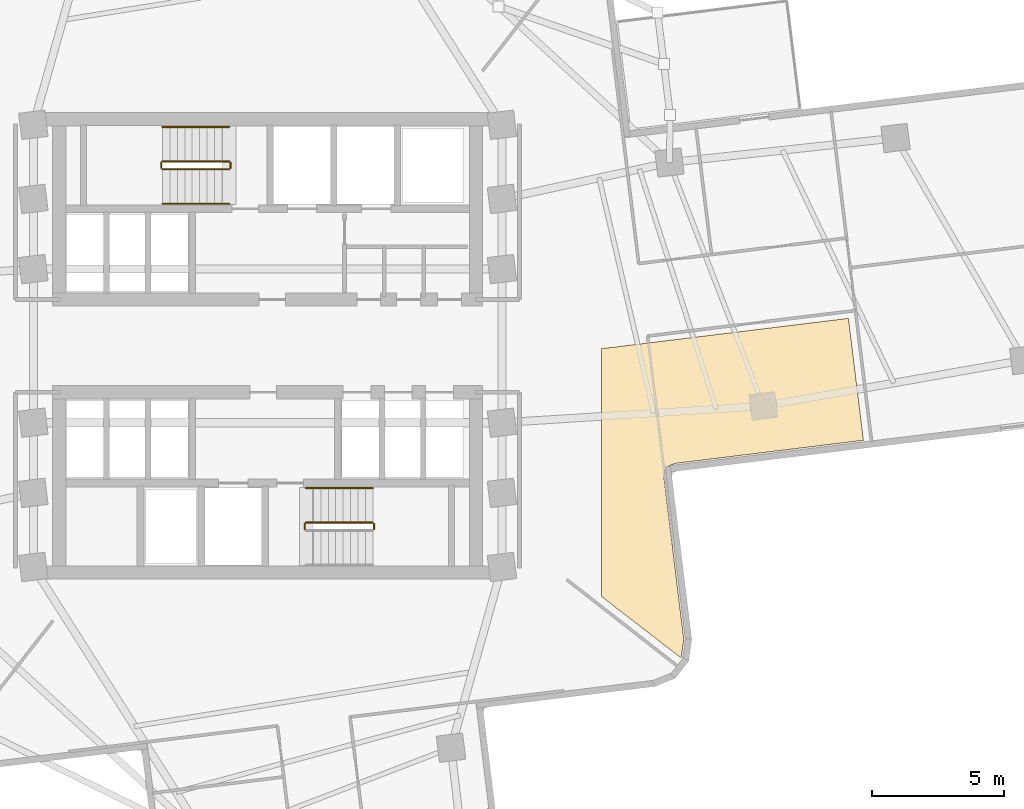
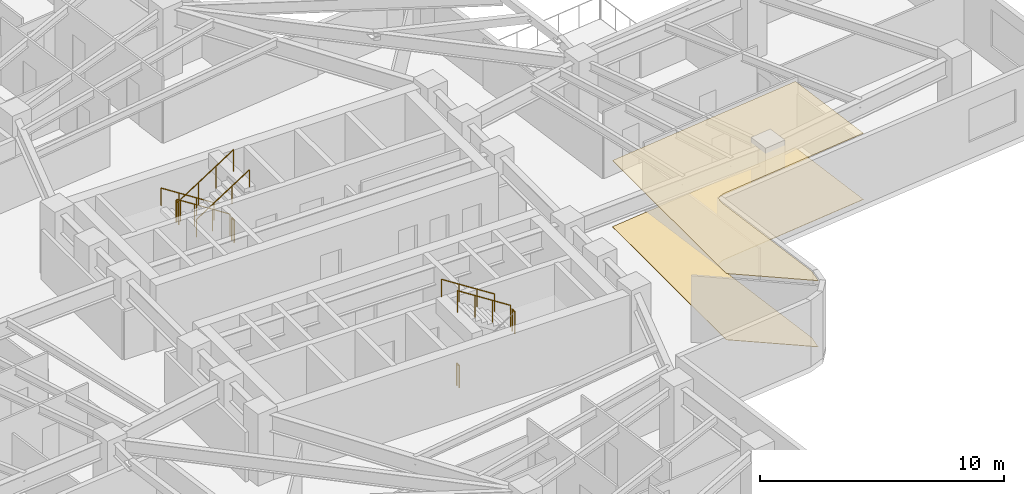
# One storey, part 8 of 9: 10 railings, 2 coverings.
"""IFC4 building model written with IfcOpenShell, lengths in metres."""

from ifc_helpers import new_model, si_unit, direction, frame, origin, origin_2d, place, context, subcontext, project, spatial, polyline, circle, outline, extrude, material, layer, layer_set, type_object, element, save


model = new_model("IFC4")

# Units and contexts
model_context = context("Model", 3, precision=1e-05, world=origin(), true_north=direction((0.0, 1.0)))
body_context = subcontext(model_context, "Body", "Model", "MODEL_VIEW")
ifc_project = project(units=[si_unit("LENGTHUNIT", "METRE"), si_unit("AREAUNIT", "SQUARE_METRE"), si_unit("VOLUMEUNIT", "CUBIC_METRE"), si_unit("PLANEANGLEUNIT", "RADIAN"), si_unit("MASSUNIT", "GRAM", prefix="KILO")], contexts=[model_context])

# Site, building, storey
site_placement = place(None, origin())
site = spatial("IfcSite", under=ifc_project, at=site_placement, CompositionType="ELEMENT")
building_placement = place(site_placement, origin())
building = spatial("IfcBuilding", under=site, at=building_placement, Name="Solmarez Civic Tower", CompositionType="ELEMENT")
storey_placement = place(building_placement, frame((0.0, 0.0, 78.47998046875)))
storey = spatial("IfcBuildingStorey", under=building, at=storey_placement, Name="L20", CompositionType="ELEMENT", Elevation=78.47998046875)

# Coverings
ifc_material_1 = material(Name="Perforated Mineral-Fibre Acoustic Ceiling")
ifc_layer_1 = layer(ifc_material_1, 0.02490234375)
ifc_layer_set_1 = layer_set([ifc_layer_1], Name="Perforated Mineral-Fibre Acoustic Ceiling")
covering_type_1 = type_object("IfcCoveringType", Name="COV-CEIL-ACOUSTIC", PredefinedType="CEILING", material=ifc_layer_set_1)
covering_1_placement = place(storey_placement, frame((0.0, 0.0, 3.31494140625)))
element("IfcCovering", 1, at=covering_1_placement, inside=storey, type_object=covering_type_1, Name="L20 Suspended Acoustic Ceiling 1", PredefinedType="CEILING", context=body_context, shape_type="SweptSolid", body=[
    extrude(outline(polyline([(12.60009765625, -0.10595703125), (12.60009765625, -9.4560546875), (15.614013671875, -11.783935546875), (15.617919921875, -11.779052734375), (15.717041015625, -11.077880859375), (14.971923828125, -5.006103515625), (14.970947265625, -5.0009765625), (14.968994140625, -4.969970703125), (14.968994140625, -4.962890625), (14.970947265625, -4.931884765625), (14.971923828125, -4.925048828125), (14.99609375, -4.75390625), (14.9970703125, -4.7470703125), (15.0029296875, -4.718017578125), (15.0048828125, -4.7109375), (15.014892578125, -4.68408203125), (15.01806640625, -4.677001953125), (15.029052734375, -4.655029296875), (15.032958984375, -4.64794921875), (15.037109375, -4.64111328125), (15.044921875, -4.6279296875), (15.049072265625, -4.6220703125), (15.06103515625, -4.60498046875), (15.075927734375, -4.589111328125), (15.091064453125, -4.574951171875), (15.10107421875, -4.56591796875), (15.114990234375, -4.554931640625), (15.1220703125, -4.550048828125), (15.136962890625, -4.541015625), (15.154052734375, -4.531005859375), (15.180908203125, -4.51806640625), (15.341064453125, -4.4541015625), (15.35302734375, -4.448974609375), (15.35888671875, -4.447021484375), (15.368896484375, -4.444091796875), (15.3759765625, -4.44189453125), (15.405029296875, -4.43603515625), (15.416015625, -4.43505859375), (22.501953125, -3.56396484375), (21.93603515625, 1.041015625), (12.60009765625, -0.10595703125)])), origin(), (0.0, 0.0, 1.0), 0.025146484375),
])
ifc_material_2 = material(Name="Polished Tropical Stone Terrazzo Flooring", Category="masonry")
ifc_layer_2 = layer(ifc_material_2, 0.02001953125)
ifc_layer_set_2 = layer_set([ifc_layer_2], Name="Polished Tropical Stone Terrazzo Flooring")
covering_type_2 = type_object("IfcCoveringType", Name="COV-FLOOR-TERRAZZO", PredefinedType="FLOORING", material=ifc_layer_set_2)
covering_2_placement = place(storey_placement, origin())
element("IfcCovering", 2, at=covering_2_placement, inside=storey, type_object=covering_type_2, Name="L20 Terrazzo Floor Finish 1", PredefinedType="FLOORING", context=body_context, shape_type="SweptSolid", body=[
    extrude(outline(polyline([(12.60009765625, -0.10595703125), (12.60009765625, -9.4560546875), (15.614013671875, -11.783935546875), (15.617919921875, -11.779052734375), (15.717041015625, -11.077880859375), (14.971923828125, -5.006103515625), (14.970947265625, -5.0009765625), (14.968994140625, -4.969970703125), (14.968994140625, -4.962890625), (14.970947265625, -4.931884765625), (14.971923828125, -4.925048828125), (14.99609375, -4.75390625), (14.9970703125, -4.7470703125), (15.0029296875, -4.718017578125), (15.0048828125, -4.7109375), (15.014892578125, -4.68408203125), (15.01806640625, -4.677001953125), (15.029052734375, -4.655029296875), (15.032958984375, -4.64794921875), (15.037109375, -4.64111328125), (15.044921875, -4.6279296875), (15.049072265625, -4.6220703125), (15.06103515625, -4.60498046875), (15.075927734375, -4.589111328125), (15.091064453125, -4.574951171875), (15.10107421875, -4.56591796875), (15.114990234375, -4.554931640625), (15.1220703125, -4.550048828125), (15.136962890625, -4.541015625), (15.154052734375, -4.531005859375), (15.180908203125, -4.51806640625), (15.341064453125, -4.4541015625), (15.35302734375, -4.448974609375), (15.35888671875, -4.447021484375), (15.368896484375, -4.444091796875), (15.3759765625, -4.44189453125), (15.405029296875, -4.43603515625), (15.416015625, -4.43505859375), (22.501953125, -3.56396484375), (21.93603515625, 1.041015625), (12.60009765625, -0.10595703125)])), origin(), (0.0, 0.0, 1.0), 0.02001953125),
])

# Railings
ifc_material_3 = material(Name="Painted Steel Stairwell Safety Guard", Category="steel")
railing_type_1 = type_object("IfcRailingType", Name="GUARD-STAIR-1120", PredefinedType="BALUSTRADE", material=ifc_material_3)
railing_1_placement = place(storey_placement, frame((-1.449951171875, 6.969970703125, 0.179931640625)))
element("IfcRailing", 3, at=railing_1_placement, inside=storey, type_object=railing_type_1, Name="L20 ST-1 stair guard 1", PredefinedType="BALUSTRADE", context=body_context, shape_type="SweptSolid", body=[
    extrude(circle(Radius=0.02392578125, at=origin_2d()), frame((0.0, 0.0, 1.09619140625), z_axis=(-0.841162588446, 0.0, 0.540782303519), x_axis=(0.0, -1.0, 0.0)), (0.0, 0.0, 1.0), 2.995849609375),
    extrude(circle(Radius=0.02099609375, at=origin_2d()), origin(), (0.0, 0.0, 1.0), 1.072021484375),
    extrude(circle(Radius=0.02099609375, at=origin_2d()), frame((-0.840087890625, 0.0, 0.5400390625)), (0.0, 0.0, 1.0), 1.072021484375),
    extrude(circle(Radius=0.02099609375, at=origin_2d()), frame((-1.679931640625, 0.0, 1.080078125)), (0.0, 0.0, 1.0), 1.072021484375),
    extrude(circle(Radius=0.02099609375, at=origin_2d()), frame((-2.52001953125, 0.0, 1.6201171875)), (0.0, 0.0, 1.0), 1.072021484375),
])
railing_2_placement = place(storey_placement, frame((-4.02001953125, 6.919921875, 1.800048828125)))
element("IfcRailing", 4, at=railing_2_placement, inside=storey, type_object=railing_type_1, Name="L20 ST-1 stair guard 2", PredefinedType="BALUSTRADE", context=body_context, shape_type="SweptSolid", body=[
    extrude(circle(Radius=0.02392578125, at=origin_2d()), frame((0.0, 0.0, 1.09619140625), z_axis=(0.0, -1.0, 0.0), x_axis=(1.0, 0.0, 0.0)), (0.0, 0.0, 1.0), 0.199951171875),
    extrude(circle(Radius=0.02099609375, at=origin_2d()), origin(), (0.0, 0.0, 1.0), 1.072021484375),
    extrude(circle(Radius=0.02099609375, at=origin_2d()), frame((0.0, -0.199951171875, 0.0)), (0.0, 0.0, 1.0), 1.072021484375),
])
railing_3_placement = place(storey_placement, frame((-3.969970703125, 6.669921875, 1.97998046875)))
element("IfcRailing", 5, at=railing_3_placement, inside=storey, type_object=railing_type_1, Name="L20 ST-1 stair guard 3", PredefinedType="BALUSTRADE", context=body_context, shape_type="SweptSolid", body=[
    extrude(circle(Radius=0.02392578125, at=origin_2d()), frame((0.0, 0.0, 1.09619140625), z_axis=(0.841162588446, 0.0, 0.540782303519), x_axis=(0.0, 1.0, 0.0)), (0.0, 0.0, 1.0), 2.995849609375),
    extrude(circle(Radius=0.02099609375, at=origin_2d()), origin(), (0.0, 0.0, 1.0), 1.072021484375),
    extrude(circle(Radius=0.02099609375, at=origin_2d()), frame((0.840087890625, 0.0, 0.5400390625)), (0.0, 0.0, 1.0), 1.072021484375),
    extrude(circle(Radius=0.02099609375, at=origin_2d()), frame((1.679931640625, 0.0, 1.080078125)), (0.0, 0.0, 1.0), 1.072021484375),
    extrude(circle(Radius=0.02099609375, at=origin_2d()), frame((2.52001953125, 0.0, 1.6201171875)), (0.0, 0.0, 1.0), 1.072021484375),
])
railing_4_placement = place(storey_placement, frame((-1.39990234375, 6.919921875, 0.0)))
element("IfcRailing", 6, at=railing_4_placement, inside=storey, type_object=railing_type_1, Name="L20 ST-1 stair guard 4", PredefinedType="BALUSTRADE", context=body_context, shape_type="SweptSolid", body=[
    extrude(circle(Radius=0.02392578125, at=origin_2d()), frame((0.0, 0.0, 1.09619140625), z_axis=(0.0, -1.0, 0.0), x_axis=(1.0, 0.0, 0.0)), (0.0, 0.0, 1.0), 0.199951171875),
    extrude(circle(Radius=0.02099609375, at=origin_2d()), origin(), (0.0, 0.0, 1.0), 1.072021484375),
    extrude(circle(Radius=0.02099609375, at=origin_2d()), frame((0.0, -0.199951171875, 0.0)), (0.0, 0.0, 1.0), 1.072021484375),
])
railing_5_placement = place(storey_placement, frame((4.02001953125, -6.919921875, 1.800048828125)))
element("IfcRailing", 7, at=railing_5_placement, inside=storey, type_object=railing_type_1, Name="L20 ST-2 stair guard 2", PredefinedType="BALUSTRADE", context=body_context, shape_type="SweptSolid", body=[
    extrude(circle(Radius=0.02392578125, at=origin_2d()), frame((0.0, 0.0, 1.09619140625), z_axis=(0.0, 1.0, 0.0), x_axis=(-1.0, 0.0, 0.0)), (0.0, 0.0, 1.0), 0.199951171875),
    extrude(circle(Radius=0.02099609375, at=origin_2d()), origin(), (0.0, 0.0, 1.0), 1.072021484375),
    extrude(circle(Radius=0.02099609375, at=origin_2d()), frame((0.0, 0.199951171875, 0.0)), (0.0, 0.0, 1.0), 1.072021484375),
])
railing_6_placement = place(storey_placement, frame((3.969970703125, -6.669921875, 1.97998046875)))
element("IfcRailing", 8, at=railing_6_placement, inside=storey, type_object=railing_type_1, Name="L20 ST-2 stair guard 3", PredefinedType="BALUSTRADE", context=body_context, shape_type="SweptSolid", body=[
    extrude(circle(Radius=0.02392578125, at=origin_2d()), frame((0.0, 0.0, 1.09619140625), z_axis=(-0.841162588446, 0.0, 0.540782303519), x_axis=(0.0, -1.0, 0.0)), (0.0, 0.0, 1.0), 2.995849609375),
    extrude(circle(Radius=0.02099609375, at=origin_2d()), origin(), (0.0, 0.0, 1.0), 1.072021484375),
    extrude(circle(Radius=0.02099609375, at=origin_2d()), frame((-0.840087890625, 0.0, 0.5400390625)), (0.0, 0.0, 1.0), 1.072021484375),
    extrude(circle(Radius=0.02099609375, at=origin_2d()), frame((-1.679931640625, 0.0, 1.080078125)), (0.0, 0.0, 1.0), 1.072021484375),
    extrude(circle(Radius=0.02099609375, at=origin_2d()), frame((-2.52001953125, 0.0, 1.6201171875)), (0.0, 0.0, 1.0), 1.072021484375),
])
railing_7_placement = place(storey_placement, frame((1.39990234375, -6.919921875, 0.0)))
element("IfcRailing", 9, at=railing_7_placement, inside=storey, type_object=railing_type_1, Name="L20 ST-2 stair guard 4", PredefinedType="BALUSTRADE", context=body_context, shape_type="SweptSolid", body=[
    extrude(circle(Radius=0.02392578125, at=origin_2d()), frame((0.0, 0.0, 1.09619140625), z_axis=(0.0, 1.0, 0.0), x_axis=(-1.0, 0.0, 0.0)), (0.0, 0.0, 1.0), 0.199951171875),
    extrude(circle(Radius=0.02099609375, at=origin_2d()), origin(), (0.0, 0.0, 1.0), 1.072021484375),
    extrude(circle(Radius=0.02099609375, at=origin_2d()), frame((0.0, 0.199951171875, 0.0)), (0.0, 0.0, 1.0), 1.072021484375),
])
ifc_material_4 = material(Name="Brushed Stainless Steel Tube Handrail", Category="steel")
railing_type_2 = type_object("IfcRailingType", Name="HANDRAIL-STAIR-900", PredefinedType="HANDRAIL", material=ifc_material_4)
railing_8_placement = place(storey_placement, frame((-1.449951171875, 8.27001953125, 0.179931640625)))
element("IfcRailing", 10, at=railing_8_placement, inside=storey, type_object=railing_type_2, Name="L20 ST-1 stair handrail 1", PredefinedType="HANDRAIL", context=body_context, shape_type="SweptSolid", body=[
    extrude(circle(Radius=0.02392578125, at=origin_2d()), frame((0.0, 0.0, 0.8759765625), z_axis=(-0.841162588446, 0.0, 0.540782303519), x_axis=(0.0, -1.0, 0.0)), (0.0, 0.0, 1.0), 2.995849609375),
    extrude(circle(Radius=0.02099609375, at=origin_2d()), origin(), (0.0, 0.0, 1.0), 0.851806640625),
    extrude(circle(Radius=0.02099609375, at=origin_2d()), frame((-0.840087890625, 0.0, 0.5400390625)), (0.0, 0.0, 1.0), 0.851806640625),
    extrude(circle(Radius=0.02099609375, at=origin_2d()), frame((-1.679931640625, 0.0, 1.080078125)), (0.0, 0.0, 1.0), 0.851806640625),
    extrude(circle(Radius=0.02099609375, at=origin_2d()), frame((-2.52001953125, 0.0, 1.6201171875)), (0.0, 0.0, 1.0), 0.851806640625),
])
railing_9_placement = place(storey_placement, frame((-3.969970703125, 5.3701171875, 1.97998046875)))
element("IfcRailing", 11, at=railing_9_placement, inside=storey, type_object=railing_type_2, Name="L20 ST-1 stair handrail 2", PredefinedType="HANDRAIL", context=body_context, shape_type="SweptSolid", body=[
    extrude(circle(Radius=0.02392578125, at=origin_2d()), frame((0.0, 0.0, 0.8759765625), z_axis=(0.841162588446, 0.0, 0.540782303519), x_axis=(0.0, 1.0, 0.0)), (0.0, 0.0, 1.0), 2.995849609375),
    extrude(circle(Radius=0.02099609375, at=origin_2d()), origin(), (0.0, 0.0, 1.0), 0.851806640625),
    extrude(circle(Radius=0.02099609375, at=origin_2d()), frame((0.840087890625, 0.0, 0.5400390625)), (0.0, 0.0, 1.0), 0.851806640625),
    extrude(circle(Radius=0.02099609375, at=origin_2d()), frame((1.679931640625, 0.0, 1.080078125)), (0.0, 0.0, 1.0), 0.851806640625),
    extrude(circle(Radius=0.02099609375, at=origin_2d()), frame((2.52001953125, 0.0, 1.6201171875)), (0.0, 0.0, 1.0), 0.851806640625),
])
railing_10_placement = place(storey_placement, frame((3.969970703125, -5.3701171875, 1.97998046875)))
element("IfcRailing", 12, at=railing_10_placement, inside=storey, type_object=railing_type_2, Name="L20 ST-2 stair handrail 2", PredefinedType="HANDRAIL", context=body_context, shape_type="SweptSolid", body=[
    extrude(circle(Radius=0.02392578125, at=origin_2d()), frame((0.0, 0.0, 0.8759765625), z_axis=(-0.841162588446, 0.0, 0.540782303519), x_axis=(0.0, -1.0, 0.0)), (0.0, 0.0, 1.0), 2.995849609375),
    extrude(circle(Radius=0.02099609375, at=origin_2d()), origin(), (0.0, 0.0, 1.0), 0.851806640625),
    extrude(circle(Radius=0.02099609375, at=origin_2d()), frame((-0.840087890625, 0.0, 0.5400390625)), (0.0, 0.0, 1.0), 0.851806640625),
    extrude(circle(Radius=0.02099609375, at=origin_2d()), frame((-1.679931640625, 0.0, 1.080078125)), (0.0, 0.0, 1.0), 0.851806640625),
    extrude(circle(Radius=0.02099609375, at=origin_2d()), frame((-2.52001953125, 0.0, 1.6201171875)), (0.0, 0.0, 1.0), 0.851806640625),
])

save(model, "model.ifc")
